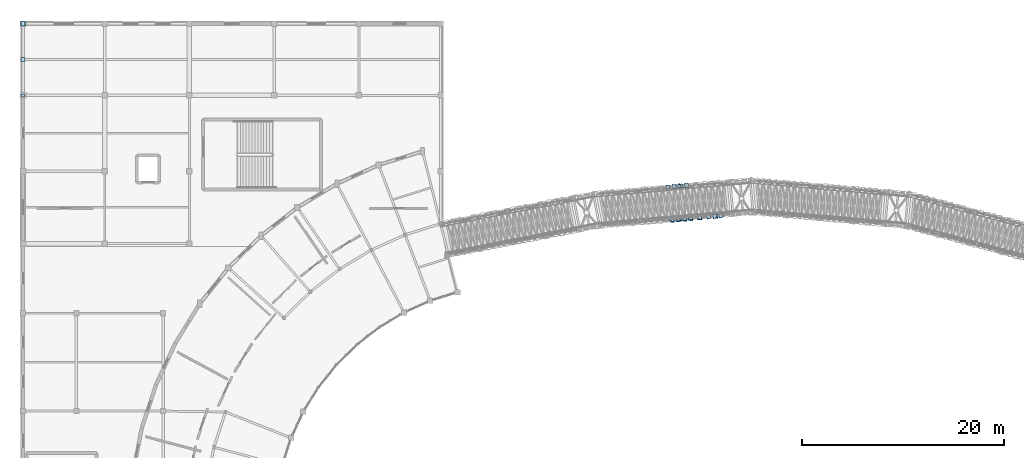
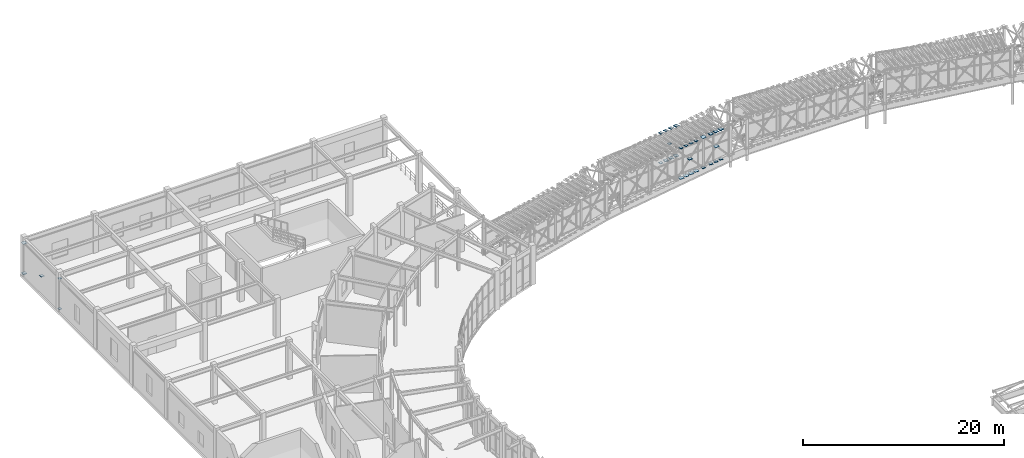
# One storey, part 97 of 144: 32 plates.
"""IFC4 building model written with IfcOpenShell, lengths in metres."""

from ifc_helpers import new_model, si_unit, direction, frame, origin, origin_2d, place, context, subcontext, project, spatial, rectangle, extrude, material, layer, layer_set, type_object, element, save


model = new_model("IFC4")

# Units and contexts
model_context = context("Model", 3, precision=1e-05, world=origin(), true_north=direction((0.0, 1.0)))
body_context = subcontext(model_context, "Body", "Model", "MODEL_VIEW")
ifc_project = project(units=[si_unit("LENGTHUNIT", "METRE"), si_unit("AREAUNIT", "SQUARE_METRE"), si_unit("VOLUMEUNIT", "CUBIC_METRE"), si_unit("PLANEANGLEUNIT", "RADIAN"), si_unit("MASSUNIT", "GRAM", prefix="KILO")], contexts=[model_context])

# Site, building, storey
site_placement = place(None, origin())
site = spatial("IfcSite", under=ifc_project, at=site_placement, CompositionType="ELEMENT")
building_placement = place(site_placement, origin())
building = spatial("IfcBuilding", under=site, at=building_placement, Name="Cinderbank Siding Concert Hall", CompositionType="ELEMENT")
storey_placement = place(building_placement, frame((0.0, 0.0, 5.39990234375)))
storey = spatial("IfcBuildingStorey", under=building, at=storey_placement, Name="L02", CompositionType="ELEMENT", Elevation=5.39990234375)

# Plates
ifc_material = material(Name="Structural steel welded plate section AS/NZS 3679.2 / AS/NZS 3678 Grade 350 (340 MPa)", Category="steel")
ifc_layer_1 = layer(ifc_material, 0.02490234375)
ifc_layer_set_1 = layer_set([ifc_layer_1], Name="Structural steel welded plate section AS/NZS 3679.2 / AS/NZS 3678 Grade 350 (340 MPa)")
plate_type_1 = type_object("IfcPlateType", Name="GP-01 Steel Gusset Cap Plate 480x480x25", PredefinedType="SHEET", material=ifc_layer_set_1)
for number, where, z_axis, x_axis, name in (
    (1, (74.1845703125, 98.68701171875, 4.917724609375), (0.0, 0.0, 1.0), (0.996255301507, 0.086460246466, 0.0), "L02 Steel Node Gusset Plate GP-01 #240"),
    (2, (75.732177734375, 98.8212890625, 3.19189453125), (0.0, 0.0, 1.0), (0.996255301507, 0.086460246466, 0.0), "L02 Steel Node Gusset Plate GP-01 #244"),
    (3, (71.480712890625, 98.4521484375, 1.05126953125), (0.0, 0.0, 1.0), (0.052161661713, 0.998638653892, 0.0), "L02 Steel Node Gusset Plate GP-01 #280"),
    (4, (72.08154296875, 98.50439453125, 1.094970703125), (0.0, 0.0, 1.0), (0.056692787563, 0.998391670557, 0.0), "L02 Steel Node Gusset Plate GP-01 #284"),
    (5, (72.6826171875, 98.556396484375, 1.138427734375), (0.0, 0.0, 1.0), (0.061396950581, 0.998113427652, 0.0), "L02 Steel Node Gusset Plate GP-01 #288"),
    (6, (73.283203125, 98.608642578125, 1.18212890625), (0.0, 0.0, 1.0), (0.065925597951, 0.997824541457, 0.0), "L02 Steel Node Gusset Plate GP-01 #292"),
    (7, (7.10009765625, 117.89990234375, 3.8876953125), (0.0, 0.0, 1.0), (0.0, 1.0, 0.0), "L02 Steel Node Gusset Plate GP-01 #1384"),
):
    element("IfcPlate", number, at=place(storey_placement, frame(where, z_axis=z_axis, x_axis=x_axis)), inside=storey, type_object=plate_type_1, Name=name, PredefinedType="SHEET", context=body_context, shape_type="SweptSolid", body=[
        extrude(rectangle(XDim=0.47998046875, YDim=0.47998046875, at=origin_2d()), origin(), (0.0, 0.0, 1.0), 0.02490234375),
    ])
ifc_layer_2 = layer(ifc_material, 0.02197265625)
ifc_layer_set_2 = layer_set([ifc_layer_2], Name="Structural steel welded plate section AS/NZS 3679.2 / AS/NZS 3678 Grade 350 (340 MPa)")
plate_type_2 = type_object("IfcPlateType", Name="GP-02 Steel Gusset Cap Plate 420x420x22", PredefinedType="SHEET", material=ifc_layer_set_2)
for number, where, z_axis, x_axis, name in (
    (8, (72.52197265625, 98.54248046875, 2.9599609375), (0.0, 0.0, 1.0), (0.996255301507, 0.086460246466, 0.0), "L02 Steel Node Gusset Plate GP-02 #241"),
    (9, (71.654052734375, 101.772216796875, 1.096435546875), (0.0, 0.0, 1.0), (0.052161661713, 0.998638653892, 0.0), "L02 Steel Node Gusset Plate GP-02 #281"),
    (10, (72.2705078125, 101.826416015625, 1.139892578125), (0.0, 0.0, 1.0), (0.056692787563, 0.998391670557, 0.0), "L02 Steel Node Gusset Plate GP-02 #285"),
    (11, (72.88671875, 101.880859375, 1.18359375), (0.0, 0.0, 1.0), (0.061396950581, 0.998113427652, 0.0), "L02 Steel Node Gusset Plate GP-02 #289"),
    (12, (72.88671875, 101.880859375, 4.82373046875), (0.0, 0.0, 1.0), (0.295874773066, -0.955226736782, 0.0), "L02 Steel Node Gusset Plate GP-02 #293"),
    (13, (75.085693359375, 98.765380859375, 4.95458984375), (0.0, 0.0, 1.0), (0.287026159226, -0.957922744234, 0.0), "L02 Steel Node Gusset Plate GP-02 #297"),
    (14, (75.6865234375, 98.8173828125, 4.998291015625), (0.0, 0.0, 1.0), (0.282676303383, -0.959215360337, 0.0), "L02 Steel Node Gusset Plate GP-02 #301"),
    (15, (76.287353515625, 98.86962890625, 5.041748046875), (0.0, 0.0, 1.0), (0.278320626641, -0.960488224179, 0.0), "L02 Steel Node Gusset Plate GP-02 #305"),
    (16, (7.10009765625, 117.89990234375, 0.189208984375), (0.0, 0.0, 1.0), (0.0, -1.0, 0.0), "L02 Steel Node Gusset Plate GP-02 #1385"),
):
    element("IfcPlate", number, at=place(storey_placement, frame(where, z_axis=z_axis, x_axis=x_axis)), inside=storey, type_object=plate_type_2, Name=name, PredefinedType="SHEET", context=body_context, shape_type="SweptSolid", body=[
        extrude(rectangle(XDim=0.419921875, YDim=0.419921875, at=origin_2d()), origin(), (0.0, 0.0, 1.0), 0.02197265625),
    ])
ifc_layer_3 = layer(ifc_material, 0.02001953125)
ifc_layer_set_3 = layer_set([ifc_layer_3], Name="Structural steel welded plate section AS/NZS 3679.2 / AS/NZS 3678 Grade 350 (340 MPa)")
plate_type_3 = type_object("IfcPlateType", Name="GP-03 Steel Gusset Cap Plate 360x360x20", PredefinedType="SHEET", material=ifc_layer_set_3)
for number, where, z_axis, x_axis, name in (
    (17, (74.1845703125, 98.68701171875, 1.219970703125), (0.0, 0.0, 1.0), (0.996255301507, 0.086460246466, 0.0), "L02 Steel Node Gusset Plate GP-03 #242"),
    (18, (71.037841796875, 101.7177734375, 1.0537109375), (0.0, 0.0, 1.0), (0.047455126176, 0.998873370853, 0.0), "L02 Steel Node Gusset Plate GP-03 #278"),
    (19, (71.037841796875, 101.7177734375, 4.693603515625), (0.0, 0.0, 1.0), (0.309016994375, -0.951056516295, 0.0), "L02 Steel Node Gusset Plate GP-03 #282"),
    (20, (71.654052734375, 101.772216796875, 4.7373046875), (0.0, 0.0, 1.0), (0.304531831612, -0.952502159334, 0.0), "L02 Steel Node Gusset Plate GP-03 #286"),
    (21, (72.2705078125, 101.826416015625, 4.781005859375), (0.0, 0.0, 1.0), (0.300206393279, -0.953874269196, 0.0), "L02 Steel Node Gusset Plate GP-03 #290"),
    (22, (75.085693359375, 98.765380859375, 1.315673828125), (0.0, 0.0, 1.0), (0.079677001159, 0.996820733877, 0.0), "L02 Steel Node Gusset Plate GP-03 #298"),
    (23, (75.6865234375, 98.8173828125, 1.359130859375), (0.0, 0.0, 1.0), (0.084199594279, 0.996448909038, 0.0), "L02 Steel Node Gusset Plate GP-03 #302"),
    (24, (76.287353515625, 98.86962890625, 1.40283203125), (0.0, 0.0, 1.0), (0.088720453553, 0.996056565222, 0.0), "L02 Steel Node Gusset Plate GP-03 #306"),
    (25, (7.10009765625, 114.36328125, 2.033203125), (0.0, 0.0, 1.0), (0.0, -1.0, 0.0), "L02 Steel Node Gusset Plate GP-03 #1386"),
):
    element("IfcPlate", number, at=place(storey_placement, frame(where, z_axis=z_axis, x_axis=x_axis)), inside=storey, type_object=plate_type_3, Name=name, PredefinedType="SHEET", context=body_context, shape_type="SweptSolid", body=[
        extrude(rectangle(XDim=0.360107421875, YDim=0.360107421875, at=origin_2d()), origin(), (0.0, 0.0, 1.0), 0.02001953125),
    ])
ifc_layer_4 = layer(ifc_material, 0.02099609375)
ifc_layer_set_4 = layer_set([ifc_layer_4], Name="Structural steel welded plate section AS/NZS 3679.2 / AS/NZS 3678 Grade 350 (340 MPa)")
plate_type_4 = type_object("IfcPlateType", Name="GP-04 Steel Gusset Cap Plate 320x320x21", PredefinedType="SHEET", material=ifc_layer_set_4)
for number, where, z_axis, x_axis, name in (
    (26, (72.10595703125, 101.81201171875, 2.960205078125), (0.0, 0.0, 1.0), (0.996133609143, 0.087851196551, 0.0), "L02 Steel Node Gusset Plate GP-04 #227"),
    (27, (71.480712890625, 98.4521484375, 4.693115234375), (0.0, 0.0, 1.0), (0.31332955548, -0.949644454342, 0.0), "L02 Steel Node Gusset Plate GP-04 #279"),
    (28, (72.08154296875, 98.50439453125, 4.73681640625), (0.0, 0.0, 1.0), (0.309016994375, -0.951056516295, 0.0), "L02 Steel Node Gusset Plate GP-04 #283"),
    (29, (72.6826171875, 98.556396484375, 4.780517578125), (0.0, 0.0, 1.0), (0.304531831612, -0.952502159334, 0.0), "L02 Steel Node Gusset Plate GP-04 #287"),
    (30, (73.283203125, 98.608642578125, 4.82421875), (0.0, 0.0, 1.0), (0.300206393279, -0.953874269196, 0.0), "L02 Steel Node Gusset Plate GP-04 #291"),
    (31, (7.10009765625, 110.800048828125, 0.189697265625), (0.0, 0.0, 1.0), (0.0, 1.0, 0.0), "L02 Steel Node Gusset Plate GP-04 #1383"),
    (32, (7.10009765625, 110.800048828125, 3.8896484375), (0.0, 0.0, 1.0), (0.0, -1.0, 0.0), "L02 Steel Node Gusset Plate GP-04 #1387"),
):
    element("IfcPlate", number, at=place(storey_placement, frame(where, z_axis=z_axis, x_axis=x_axis)), inside=storey, type_object=plate_type_4, Name=name, PredefinedType="SHEET", context=body_context, shape_type="SweptSolid", body=[
        extrude(rectangle(XDim=0.320068359375, YDim=0.320068359375, at=origin_2d()), origin(), (0.0, 0.0, 1.0), 0.02099609375),
    ])

save(model, "model.ifc")
